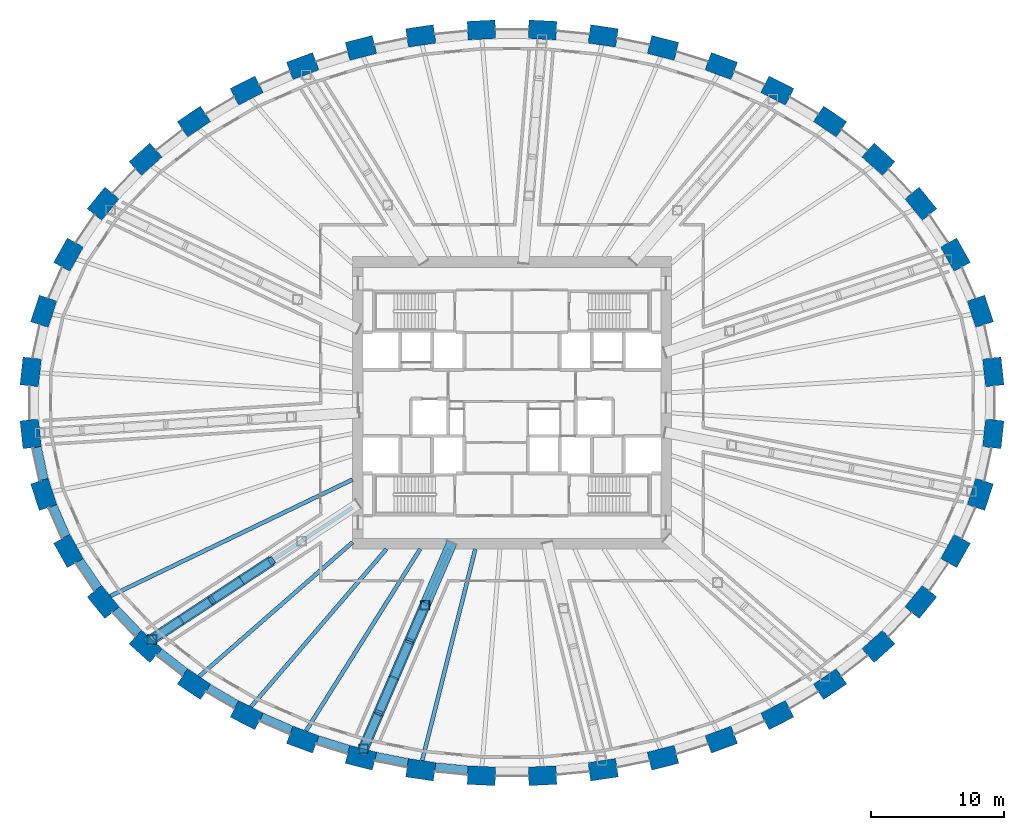
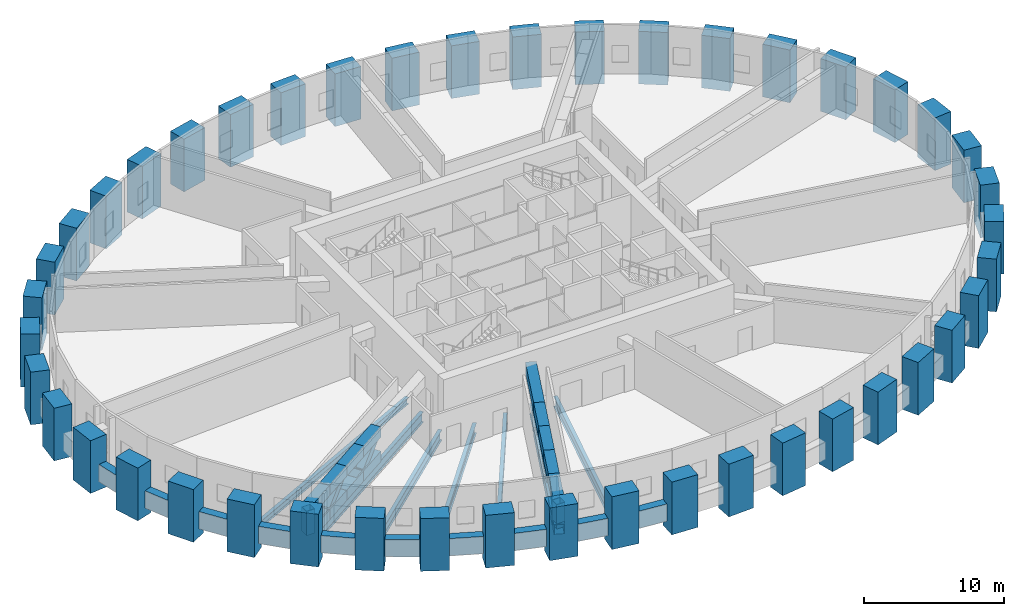
# One storey, part 1 of 13: 44 columns, 28 members, 17 beams.
"""IFC4 building model written with IfcOpenShell, lengths in metres."""

from ifc_helpers import new_model, si_unit, direction, frame, origin, origin_2d, place, context, subcontext, project, spatial, rectangle, hollow_rectangle, i_section, extrude, source, transform, mapped, material, material_profile, profile_set, type_object, element, save


model = new_model("IFC4")

# Units and contexts
model_context = context("Model", 3, precision=1e-05, world=origin(), true_north=direction((0.0, 1.0)))
body_context = subcontext(model_context, "Body", "Model", "MODEL_VIEW")
ifc_project = project(units=[si_unit("LENGTHUNIT", "METRE"), si_unit("AREAUNIT", "SQUARE_METRE"), si_unit("VOLUMEUNIT", "CUBIC_METRE"), si_unit("PLANEANGLEUNIT", "RADIAN"), si_unit("MASSUNIT", "GRAM", prefix="KILO")], contexts=[model_context])

# Site, building, storey
site_placement = place(None, origin())
site = spatial("IfcSite", under=ifc_project, at=site_placement, CompositionType="ELEMENT")
building_placement = place(site_placement, origin())
building = spatial("IfcBuilding", under=site, at=building_placement, Name="Embergate Tower", CompositionType="ELEMENT")
storey_placement = place(building_placement, frame((0.0, 0.0, 195.0)))
storey = spatial("IfcBuildingStorey", under=building, at=storey_placement, Name="L44", CompositionType="ELEMENT", Elevation=195.0)

# Columns
ifc_material_1 = material(Name="Concrete C60", Category="concrete")
ifc_material_profile_1 = material_profile(ifc_material_1, rectangle(XDim=1.39990234375, YDim=2.10009765625, at=origin_2d()), Name="RC 1400x2100")
ifc_profile_set_1 = profile_set([ifc_material_profile_1], Name="Concrete C60")
column_type = type_object("IfcColumnType", Name="Ring column RC 1400x2100 C60", PredefinedType="COLUMN", material=ifc_profile_set_1)
shared_shape_1 = source(origin(), body_context, "Body", "SweptSolid", [
    extrude(rectangle(XDim=1.39990234375, YDim=2.10009765625, at=origin_2d()), origin(), (0.0, 0.0, 1.0), 4.60009765625),
])
for number, where, z_axis, x_axis, name in (
    (1, (36.219970703125, 2.3310546875, -1.5), (0.0, 0.0, 1.0), (0.99428589498, 0.106749983816, 0.0), "COL-L44-00"),
    (2, (35.239990234375, 6.885986328125, -1.5), (0.0, 0.0, 1.0), (0.950754033697, 0.309946394413, 0.0), "COL-L44-01"),
    (3, (33.373046875, 11.14501953125, -1.5), (0.0, 0.0, 1.0), (0.873491969053, 0.486838556403, 0.0), "COL-L44-02"),
    (4, (30.764892578125, 14.97998046875, -1.5), (0.0, 0.0, 1.0), (0.775914301615, 0.630838328377, 0.0), "COL-L44-03"),
    (5, (27.572021484375, 18.327880859375, -1.5), (0.0, 0.0, 1.0), (0.669208424634, 0.74307475021, 0.0), "COL-L44-04"),
    (6, (23.93408203125, 21.16796875, -1.5), (0.0, 0.0, 1.0), (0.560393279442, 0.828226643109, 0.0), "COL-L44-05"),
    (7, (19.964111328125, 23.501953125, -1.5), (0.0, 0.0, 1.0), (0.452994952881, 0.891513080478, 0.0), "COL-L44-06"),
    (8, (15.7490234375, 25.344970703125, -1.5), (0.0, 0.0, 1.0), (0.348343015724, 0.93736713373, 0.0), "COL-L44-07"),
    (9, (11.363037109375, 26.7109375, -1.5), (0.0, 0.0, 1.0), (0.246491603437, 0.969144926951, 0.0), "COL-L44-08"),
    (10, (6.861083984375, 27.614013671875, -1.5), (0.0, 0.0, 1.0), (0.146929011949, 0.989147039346, 0.0), "COL-L44-09"),
    (11, (2.2939453125, 28.06298828125, -1.5), (0.0, 0.0, 1.0), (0.048814904854, 0.998807841912, 0.0), "COL-L44-10"),
    (12, (-2.2939453125, 28.06298828125, -1.5), (0.0, 0.0, 1.0), (-0.048814904854, 0.998807841912, 0.0), "COL-L44-11"),
    (13, (-6.861083984375, 27.614013671875, -1.5), (0.0, 0.0, 1.0), (-0.146929011949, 0.989147039346, 0.0), "COL-L44-12"),
    (14, (-11.363037109375, 26.7109375, -1.5), (0.0, 0.0, 1.0), (-0.246491603437, 0.969144926951, 0.0), "COL-L44-13"),
    (15, (-15.7490234375, 25.344970703125, -1.5), (0.0, 0.0, 1.0), (-0.348343015724, 0.93736713373, 0.0), "COL-L44-14"),
    (16, (-19.964111328125, 23.501953125, -1.5), (0.0, 0.0, 1.0), (-0.452994952881, 0.891513080478, 0.0), "COL-L44-15"),
    (17, (-23.93408203125, 21.16796875, -1.5), (0.0, 0.0, 1.0), (-0.560393279442, 0.828226643109, 0.0), "COL-L44-16"),
    (18, (-27.572021484375, 18.327880859375, -1.5), (0.0, 0.0, 1.0), (-0.669208424634, 0.74307475021, 0.0), "COL-L44-17"),
    (19, (-30.764892578125, 14.97998046875, -1.5), (0.0, 0.0, 1.0), (-0.775914301615, 0.630838328377, 0.0), "COL-L44-18"),
    (20, (-33.373046875, 11.14501953125, -1.5), (0.0, 0.0, 1.0), (-0.873491969053, 0.486838556403, 0.0), "COL-L44-19"),
    (21, (-35.239990234375, 6.885986328125, -1.5), (0.0, 0.0, 1.0), (-0.950754033697, 0.309946394413, 0.0), "COL-L44-20"),
    (22, (-36.219970703125, 2.3310546875, -1.5), (0.0, 0.0, 1.0), (-0.99428589498, 0.106749983816, 0.0), "COL-L44-21"),
    (23, (-36.219970703125, -2.3310546875, -1.5), (0.0, 0.0, 1.0), (-0.99428589498, -0.106749983816, 0.0), "COL-L44-22"),
    (24, (-35.239990234375, -6.885986328125, -1.5), (0.0, 0.0, 1.0), (-0.950754033697, -0.309946394413, 0.0), "COL-L44-23"),
    (25, (-33.373046875, -11.14501953125, -1.5), (0.0, 0.0, 1.0), (-0.873491969053, -0.486838556403, 0.0), "COL-L44-24"),
    (26, (-30.764892578125, -14.97998046875, -1.5), (0.0, 0.0, 1.0), (-0.775914301615, -0.630838328377, 0.0), "COL-L44-25"),
    (27, (-27.572021484375, -18.327880859375, -1.5), (0.0, 0.0, 1.0), (-0.669208424634, -0.74307475021, 0.0), "COL-L44-26"),
    (28, (-23.93408203125, -21.16796875, -1.5), (0.0, 0.0, 1.0), (-0.560393279442, -0.828226643109, 0.0), "COL-L44-27"),
    (29, (-19.964111328125, -23.501953125, -1.5), (0.0, 0.0, 1.0), (-0.452994952881, -0.891513080478, 0.0), "COL-L44-28"),
    (30, (-15.7490234375, -25.344970703125, -1.5), (0.0, 0.0, 1.0), (-0.348343015724, -0.93736713373, 0.0), "COL-L44-29"),
    (31, (-11.363037109375, -26.7109375, -1.5), (0.0, 0.0, 1.0), (-0.246491603437, -0.969144926951, 0.0), "COL-L44-30"),
    (32, (-6.861083984375, -27.614013671875, -1.5), (0.0, 0.0, 1.0), (-0.146929011949, -0.989147039346, 0.0), "COL-L44-31"),
    (33, (-2.2939453125, -28.06298828125, -1.5), (0.0, 0.0, 1.0), (-0.048814904854, -0.998807841912, 0.0), "COL-L44-32"),
    (34, (2.2939453125, -28.06298828125, -1.5), (0.0, 0.0, 1.0), (0.048814904854, -0.998807841912, 0.0), "COL-L44-33"),
    (35, (6.861083984375, -27.614013671875, -1.5), (0.0, 0.0, 1.0), (0.146929011949, -0.989147039346, 0.0), "COL-L44-34"),
    (36, (11.363037109375, -26.7109375, -1.5), (0.0, 0.0, 1.0), (0.246491603437, -0.969144926951, 0.0), "COL-L44-35"),
    (37, (15.7490234375, -25.344970703125, -1.5), (0.0, 0.0, 1.0), (0.348343015724, -0.93736713373, 0.0), "COL-L44-36"),
    (38, (19.964111328125, -23.501953125, -1.5), (0.0, 0.0, 1.0), (0.452994952881, -0.891513080478, 0.0), "COL-L44-37"),
    (39, (23.93408203125, -21.16796875, -1.5), (0.0, 0.0, 1.0), (0.560393279442, -0.828226643109, 0.0), "COL-L44-38"),
    (40, (27.572021484375, -18.327880859375, -1.5), (0.0, 0.0, 1.0), (0.669208424634, -0.74307475021, 0.0), "COL-L44-39"),
    (41, (30.764892578125, -14.97998046875, -1.5), (0.0, 0.0, 1.0), (0.775914301615, -0.630838328377, 0.0), "COL-L44-40"),
    (42, (33.373046875, -11.14501953125, -1.5), (0.0, 0.0, 1.0), (0.873491969053, -0.486838556403, 0.0), "COL-L44-41"),
    (43, (35.239990234375, -6.885986328125, -1.5), (0.0, 0.0, 1.0), (0.950754033697, -0.309946394413, 0.0), "COL-L44-42"),
    (44, (36.219970703125, -2.3310546875, -1.5), (0.0, 0.0, 1.0), (0.99428589498, -0.106749983816, 0.0), "COL-L44-43"),
):
    element("IfcColumn", number, at=place(storey_placement, frame(where, z_axis=z_axis, x_axis=x_axis)), inside=storey, type_object=column_type, Name=name, PredefinedType="COLUMN", context=body_context, shape_type="MappedRepresentation", body=[
        mapped(shared_shape_1, transform((0.0, 0.0, 0.0))),
    ])

# Beams
ifc_material_profile_2 = material_profile(ifc_material_1, rectangle(XDim=0.64990234375, YDim=1.5, at=origin_2d()), Name="RC 650x1500")
ifc_profile_set_2 = profile_set([ifc_material_profile_2], Name="Concrete C60")
beam_type_1 = type_object("IfcBeamType", Name="Spandrel beam RC 650x1500 C60", PredefinedType="BEAM", material=ifc_profile_set_2)
shared_shape_2 = source(origin(), body_context, "Body", "SweptSolid", [
    extrude(rectangle(XDim=0.64990234375, YDim=1.5, at=origin_2d()), origin(), (0.0, 0.0, 1.0), 2.495849609375),
])
beam_1_placement = place(storey_placement, frame((-35.7470703125, -3.3359375, 0.0), z_axis=(0.210410815017, -0.97761305685, 0.0), x_axis=(0.97761305685, 0.210410815017, 0.0)))
element("IfcBeam", 45, at=beam_1_placement, inside=storey, type_object=beam_type_1, Name="SPN-L44-22", PredefinedType="BEAM", context=body_context, shape_type="MappedRepresentation", body=[
    mapped(shared_shape_2, transform((0.0, 0.0, 0.0))),
])
shared_shape_3 = source(origin(), body_context, "Body", "SweptSolid", [
    extrude(rectangle(XDim=0.64990234375, YDim=1.5, at=origin_2d()), origin(), (0.0, 0.0, 1.0), 2.4873046875),
])
beam_2_placement = place(storey_placement, frame((-34.556884765625, -7.76806640625, 0.0), z_axis=(0.401570504265, -0.915828111659, 0.0), x_axis=(0.915828111659, 0.401570504265, 0.0)))
element("IfcBeam", 46, at=beam_2_placement, inside=storey, type_object=beam_type_1, Name="SPN-L44-23", PredefinedType="BEAM", context=body_context, shape_type="MappedRepresentation", body=[
    mapped(shared_shape_3, transform((0.0, 0.0, 0.0))),
])
shared_shape_4 = source(origin(), body_context, "Body", "SweptSolid", [
    extrude(rectangle(XDim=0.64990234375, YDim=1.5, at=origin_2d()), origin(), (0.0, 0.0, 1.0), 2.48193359375),
])
beam_3_placement = place(storey_placement, frame((-32.541015625, -11.884033203125, 0.0), z_axis=(0.562484902419, -0.826807555935, 0.0), x_axis=(0.826807555935, 0.562484902419, 0.0)))
element("IfcBeam", 47, at=beam_3_placement, inside=storey, type_object=beam_type_1, Name="SPN-L44-24", PredefinedType="BEAM", context=body_context, shape_type="MappedRepresentation", body=[
    mapped(shared_shape_4, transform((0.0, 0.0, 0.0))),
])
shared_shape_5 = source(origin(), body_context, "Body", "SweptSolid", [
    extrude(rectangle(XDim=0.64990234375, YDim=1.5, at=origin_2d()), origin(), (0.0, 0.0, 1.0), 2.474853515625),
])
beam_4_placement = place(storey_placement, frame((-29.81005859375, -15.556884765625, 0.0), z_axis=(0.690137817058, -0.723677962541, 0.0), x_axis=(0.723677962541, 0.690137817058, 0.0)))
element("IfcBeam", 48, at=beam_4_placement, inside=storey, type_object=beam_type_1, Name="SPN-L44-25", PredefinedType="BEAM", context=body_context, shape_type="MappedRepresentation", body=[
    mapped(shared_shape_5, transform((0.0, 0.0, 0.0))),
])
shared_shape_6 = source(origin(), body_context, "Body", "SweptSolid", [
    extrude(rectangle(XDim=0.64990234375, YDim=1.5, at=origin_2d()), origin(), (0.0, 0.0, 1.0), 2.469970703125),
])
beam_5_placement = place(storey_placement, frame((-26.5458984375, -18.757080078125, 0.0), z_axis=(0.788201173766, -0.615417670914, 0.0), x_axis=(0.615417670914, 0.788201173766, 0.0)))
element("IfcBeam", 49, at=beam_5_placement, inside=storey, type_object=beam_type_1, Name="SPN-L44-26", PredefinedType="BEAM", context=body_context, shape_type="MappedRepresentation", body=[
    mapped(shared_shape_6, transform((0.0, 0.0, 0.0))),
])
shared_shape_7 = source(origin(), body_context, "Body", "SweptSolid", [
    extrude(rectangle(XDim=0.64990234375, YDim=1.5, at=origin_2d()), origin(), (0.0, 0.0, 1.0), 2.464111328125),
])
beam_6_placement = place(storey_placement, frame((-22.862060546875, -21.4580078125, 0.0), z_axis=(0.862005524643, -0.506898880928, 0.0), x_axis=(0.506898880928, 0.862005524643, 0.0)))
element("IfcBeam", 50, at=beam_6_placement, inside=storey, type_object=beam_type_1, Name="SPN-L44-27", PredefinedType="BEAM", context=body_context, shape_type="MappedRepresentation", body=[
    mapped(shared_shape_7, transform((0.0, 0.0, 0.0))),
])
shared_shape_8 = source(origin(), body_context, "Body", "SweptSolid", [
    extrude(rectangle(XDim=0.64990234375, YDim=1.5, at=origin_2d()), origin(), (0.0, 0.0, 1.0), 2.4609375),
])
beam_7_placement = place(storey_placement, frame((-18.85791015625, -23.64306640625, 0.0), z_axis=(0.916257487085, -0.400589836818, 0.0), x_axis=(0.400589836818, 0.916257487085, 0.0)))
element("IfcBeam", 51, at=beam_7_placement, inside=storey, type_object=beam_type_1, Name="SPN-L44-28", PredefinedType="BEAM", context=body_context, shape_type="MappedRepresentation", body=[
    mapped(shared_shape_8, transform((0.0, 0.0, 0.0))),
])
shared_shape_9 = source(origin(), body_context, "Body", "SweptSolid", [
    extrude(rectangle(XDim=0.64990234375, YDim=1.5, at=origin_2d()), origin(), (0.0, 0.0, 1.0), 2.4580078125),
])
beam_8_placement = place(storey_placement, frame((-14.635986328125, -25.363037109375, 0.0), z_axis=(0.954764072866, -0.297364364315, 0.0), x_axis=(0.297364364315, 0.954764072866, 0.0)))
element("IfcBeam", 52, at=beam_8_placement, inside=storey, type_object=beam_type_1, Name="SPN-L44-29", PredefinedType="BEAM", context=body_context, shape_type="MappedRepresentation", body=[
    mapped(shared_shape_9, transform((0.0, 0.0, 0.0))),
])
shared_shape_10 = source(origin(), body_context, "Body", "SweptSolid", [
    extrude(rectangle(XDim=0.64990234375, YDim=1.5, at=origin_2d()), origin(), (0.0, 0.0, 1.0), 2.456787109375),
])
beam_9_placement = place(storey_placement, frame((-10.2548828125, -26.613037109375, 0.0), z_axis=(0.98049267216, -0.196555640573, 0.0), x_axis=(0.196555640573, 0.98049267216, 0.0)))
element("IfcBeam", 53, at=beam_9_placement, inside=storey, type_object=beam_type_1, Name="SPN-L44-30", PredefinedType="BEAM", context=body_context, shape_type="MappedRepresentation", body=[
    mapped(shared_shape_10, transform((0.0, 0.0, 0.0))),
])
shared_shape_11 = source(origin(), body_context, "Body", "SweptSolid", [
    extrude(rectangle(XDim=0.64990234375, YDim=1.5, at=origin_2d()), origin(), (0.0, 0.0, 1.0), 2.455810546875),
])
beam_10_placement = place(storey_placement, frame((-5.76904296875, -27.406005859375, 0.0), z_axis=(0.995213749565, -0.097722017363, 0.0), x_axis=(0.097722017363, 0.995213749565, 0.0)))
element("IfcBeam", 54, at=beam_10_placement, inside=storey, type_object=beam_type_1, Name="SPN-L44-31", PredefinedType="BEAM", context=body_context, shape_type="MappedRepresentation", body=[
    mapped(shared_shape_11, transform((0.0, 0.0, 0.0))),
])
ifc_material_2 = material(Name="Steel Q355B", Category="steel")
ifc_material_profile_3 = material_profile(ifc_material_2, i_section(OverallWidth=0.300048828125, OverallDepth=0.587890625, WebThickness=0.011962890625, FlangeThickness=0.02001953125, FilletRadius=0.012939453125, at=origin_2d()), Name="HM 588x300x12x20")
ifc_profile_set_3 = profile_set([ifc_material_profile_3], Name="Steel Q355 grade B")
beam_type_2 = type_object("IfcBeamType", Name="Plant girder HM 588x300x12x20", PredefinedType="BEAM", material=ifc_profile_set_3)
shared_shape_12 = source(origin(), body_context, "Body", "SweptSolid", [
    extrude(i_section(OverallWidth=0.300048828125, OverallDepth=0.587890625, WebThickness=0.011962890625, FlangeThickness=0.02001953125, FilletRadius=0.012939453125, at=origin_2d()), origin(), (0.0, 0.0, 1.0), 20.220458984375),
])
beam_11_placement = place(storey_placement, frame((-30.221923828125, -14.5380859375, -0.593994140625), z_axis=(0.901163637212, 0.433479064046, 0.0), x_axis=(-0.433479064046, 0.901163637212, 0.0)))
element("IfcBeam", 55, at=beam_11_placement, inside=storey, type_object=beam_type_2, Name="GIR-L44-25", PredefinedType="BEAM", context=body_context, shape_type="MappedRepresentation", body=[
    mapped(shared_shape_12, transform((0.0, 0.0, 0.0))),
])
ifc_material_profile_4 = material_profile(ifc_material_2, i_section(OverallWidth=0.300048828125, OverallDepth=0.89990234375, WebThickness=0.01611328125, FlangeThickness=0.028076171875, FilletRadius=0.028076171875, at=origin_2d()), Name="HN 900x300x16x28")
ifc_profile_set_4 = profile_set([ifc_material_profile_4], Name="Steel Q355 grade B")
beam_type_3 = type_object("IfcBeamType", Name="Plant girder HN 900x300x16x28", PredefinedType="BEAM", material=ifc_profile_set_4)
shared_shape_13 = source(origin(), body_context, "Body", "SweptSolid", [
    extrude(i_section(OverallWidth=0.300048828125, OverallDepth=0.89990234375, WebThickness=0.01611328125, FlangeThickness=0.028076171875, FilletRadius=0.028076171875, at=origin_2d()), origin(), (0.0, 0.0, 1.0), 18.072509765625),
])
beam_12_placement = place(storey_placement, frame((-27.10400390625, -17.80810546875, -0.75), z_axis=(0.835741437454, 0.549123164437, 0.0), x_axis=(-0.549123164437, 0.835741437454, 0.0)))
element("IfcBeam", 56, at=beam_12_placement, inside=storey, type_object=beam_type_3, Name="GIR-L44-26", PredefinedType="BEAM", context=body_context, shape_type="MappedRepresentation", body=[
    mapped(shared_shape_13, transform((0.0, 0.0, 0.0))),
])
shared_shape_14 = source(origin(), body_context, "Body", "SweptSolid", [
    extrude(i_section(OverallWidth=0.300048828125, OverallDepth=0.89990234375, WebThickness=0.01611328125, FlangeThickness=0.028076171875, FilletRadius=0.028076171875, at=origin_2d()), origin(), (0.0, 0.0, 1.0), 15.332275390625),
])
beam_13_placement = place(storey_placement, frame((-23.5419921875, -20.587890625, -0.75), z_axis=(0.752785772217, 0.658265585571, 0.0), x_axis=(-0.658265585571, 0.752785772217, 0.0)))
element("IfcBeam", 57, at=beam_13_placement, inside=storey, type_object=beam_type_3, Name="GIR-L44-27", PredefinedType="BEAM", context=body_context, shape_type="MappedRepresentation", body=[
    mapped(shared_shape_14, transform((0.0, 0.0, 0.0))),
])
shared_shape_15 = source(origin(), body_context, "Body", "SweptSolid", [
    extrude(i_section(OverallWidth=0.300048828125, OverallDepth=0.89990234375, WebThickness=0.01611328125, FlangeThickness=0.028076171875, FilletRadius=0.028076171875, at=origin_2d()), origin(), (0.0, 0.0, 1.0), 15.656982421875),
])
beam_14_placement = place(storey_placement, frame((-19.64697265625, -22.8779296875, -0.75), z_axis=(0.65152174109, 0.758629963083, 0.0), x_axis=(-0.758629963083, 0.65152174109, 0.0)))
element("IfcBeam", 58, at=beam_14_placement, inside=storey, type_object=beam_type_3, Name="GIR-L44-28", PredefinedType="BEAM", context=body_context, shape_type="MappedRepresentation", body=[
    mapped(shared_shape_15, transform((0.0, 0.0, 0.0))),
])
shared_shape_16 = source(origin(), body_context, "Body", "SweptSolid", [
    extrude(i_section(OverallWidth=0.300048828125, OverallDepth=0.89990234375, WebThickness=0.01611328125, FlangeThickness=0.028076171875, FilletRadius=0.028076171875, at=origin_2d()), origin(), (0.0, 0.0, 1.0), 16.16455078125),
])
beam_15_placement = place(storey_placement, frame((-15.5048828125, -24.68896484375, -0.75), z_axis=(0.531835896926, 0.84684743534, 0.0), x_axis=(-0.84684743534, 0.531835896926, 0.0)))
element("IfcBeam", 59, at=beam_15_placement, inside=storey, type_object=beam_type_3, Name="GIR-L44-29", PredefinedType="BEAM", context=body_context, shape_type="MappedRepresentation", body=[
    mapped(shared_shape_16, transform((0.0, 0.0, 0.0))),
])
shared_shape_17 = source(origin(), body_context, "Body", "SweptSolid", [
    extrude(i_section(OverallWidth=0.300048828125, OverallDepth=0.89990234375, WebThickness=0.01611328125, FlangeThickness=0.028076171875, FilletRadius=0.028076171875, at=origin_2d()), origin(), (0.0, 0.0, 1.0), 16.363037109375),
])
beam_16_placement = place(storey_placement, frame((-11.18994140625, -26.032958984375, -0.75), z_axis=(0.394911270951, 0.918719265105, 0.0), x_axis=(-0.918719265105, 0.394911270951, 0.0)))
element("IfcBeam", 60, at=beam_16_placement, inside=storey, type_object=beam_type_3, Name="GIR-L44-30", PredefinedType="BEAM", context=body_context, shape_type="MappedRepresentation", body=[
    mapped(shared_shape_17, transform((0.0, 0.0, 0.0))),
])
shared_shape_18 = source(origin(), body_context, "Body", "SweptSolid", [
    extrude(i_section(OverallWidth=0.300048828125, OverallDepth=0.89990234375, WebThickness=0.01611328125, FlangeThickness=0.028076171875, FilletRadius=0.028076171875, at=origin_2d()), origin(), (0.0, 0.0, 1.0), 16.416259765625),
])
beam_17_placement = place(storey_placement, frame((-6.758056640625, -26.922119140625, -0.75), z_axis=(0.243483815658, 0.969904960041, 0.0), x_axis=(-0.969904960041, 0.243483815658, 0.0)))
element("IfcBeam", 61, at=beam_17_placement, inside=storey, type_object=beam_type_3, Name="GIR-L44-31", PredefinedType="BEAM", context=body_context, shape_type="MappedRepresentation", body=[
    mapped(shared_shape_18, transform((0.0, 0.0, 0.0))),
])

# Members
ifc_material_profile_5 = material_profile(ifc_material_2, hollow_rectangle(XDim=0.699951171875, YDim=0.699951171875, WallThickness=0.031982421875, at=origin_2d()), Name="BOX 700x700x32")
ifc_profile_set_5 = profile_set([ifc_material_profile_5], Name="Steel Q355 grade B")
member_type_1 = type_object("IfcMemberType", Name="Outrigger post BOX 700x700x32", PredefinedType="POST", material=ifc_profile_set_5)
shared_shape_19 = source(origin(), body_context, "Body", "SweptSolid", [
    extrude(hollow_rectangle(XDim=0.699951171875, YDim=0.699951171875, WallThickness=0.031982421875, at=origin_2d()), origin(), (0.0, 0.0, 1.0), 2.1201171875),
])
for number, where, z_axis, x_axis, name in (
    (62, (-27.10400390625, -17.80810546875, 0.449951171875), (0.0, 0.0, 1.0), (1.0, 0.0, 0.0), "OUT-L44-26-PO05"),
    (63, (-6.544921875, -15.22607421875, 0.449951171875), (0.0, 0.0, 1.0), (1.0, 0.0, 0.0), "OUT-L44-30-PO00"),
    (64, (-11.18994140625, -26.032958984375, 0.449951171875), (0.0, 0.0, 1.0), (1.0, 0.0, 0.0), "OUT-L44-30-PO04"),
):
    element("IfcMember", number, at=place(storey_placement, frame(where, z_axis=z_axis, x_axis=x_axis)), inside=storey, type_object=member_type_1, Name=name, PredefinedType="POST", context=body_context, shape_type="MappedRepresentation", body=[
        mapped(shared_shape_19, transform((0.0, 0.0, 0.0))),
    ])
ifc_material_profile_6 = material_profile(ifc_material_2, hollow_rectangle(XDim=0.800048828125, YDim=0.89990234375, WallThickness=0.0400390625, at=origin_2d()), Name="BOX 900x800x40")
ifc_profile_set_6 = profile_set([ifc_material_profile_6], Name="Steel Q355 grade B")
member_type_2 = type_object("IfcMemberType", Name="Outrigger chord BOX 900x800x40", PredefinedType="CHORD", material=ifc_profile_set_6)
shared_shape_20 = source(origin(), body_context, "Body", "SweptSolid", [
    extrude(hollow_rectangle(XDim=0.800048828125, YDim=0.89990234375, WallThickness=0.0400390625, at=origin_2d()), origin(), (0.0, 0.0, 1.0), 2.794677734375),
])
for number, where, z_axis, x_axis, name in (
    (65, (-18.095947265625, -11.889892578125, 2.570068359375), (-0.835847496701, -0.548961712926, 0.0), (0.548961712926, -0.835847496701, 0.0), "OUT-L44-26-TC02"),
    (66, (-22.60009765625, -14.84912109375, 2.570068359375), (-0.835887580758, -0.548900676202, 0.0), (0.548900676202, -0.835887580758, 0.0), "OUT-L44-26-TC04"),
    (67, (-18.095947265625, -11.889892578125, 0.449951171875), (-0.835847496701, -0.548961712926, 0.0), (0.548961712926, -0.835847496701, 0.0), "OUT-L44-26-BC01"),
    (68, (-22.60009765625, -14.84912109375, 0.449951171875), (-0.835887580758, -0.548900676202, 0.0), (0.548900676202, -0.835887580758, 0.0), "OUT-L44-26-BC03"),
):
    element("IfcMember", number, at=place(storey_placement, frame(where, z_axis=z_axis, x_axis=x_axis)), inside=storey, type_object=member_type_2, Name=name, PredefinedType="CHORD", context=body_context, shape_type="MappedRepresentation", body=[
        mapped(shared_shape_20, transform((0.0, 0.0, 0.0))),
    ])
shared_shape_21 = source(origin(), body_context, "Body", "SweptSolid", [
    extrude(hollow_rectangle(XDim=0.800048828125, YDim=0.89990234375, WallThickness=0.0400390625, at=origin_2d()), origin(), (0.0, 0.0, 1.0), 2.79541015625),
])
for number, where, z_axis, x_axis, name in (
    (69, (-20.347900390625, -13.368896484375, 2.570068359375), (-0.835713496156, -0.549165687515, 0.0), (0.549165687515, -0.835713496156, 0.0), "OUT-L44-26-TC03"),
    (70, (-20.347900390625, -13.368896484375, 0.449951171875), (-0.835713496156, -0.549165687515, 0.0), (0.549165687515, -0.835713496156, 0.0), "OUT-L44-26-BC02"),
):
    element("IfcMember", number, at=place(storey_placement, frame(where, z_axis=z_axis, x_axis=x_axis)), inside=storey, type_object=member_type_2, Name=name, PredefinedType="CHORD", context=body_context, shape_type="MappedRepresentation", body=[
        mapped(shared_shape_21, transform((0.0, 0.0, 0.0))),
    ])
shared_shape_22 = source(origin(), body_context, "Body", "SweptSolid", [
    extrude(hollow_rectangle(XDim=0.800048828125, YDim=0.89990234375, WallThickness=0.0400390625, at=origin_2d()), origin(), (0.0, 0.0, 1.0), 3.195068359375),
])
for number, where, z_axis, x_axis, name in (
    (71, (-24.85205078125, -16.327880859375, 2.570068359375), (-0.835618299195, -0.54931052971, 0.0), (0.54931052971, -0.835618299195, 0.0), "OUT-L44-26-TC05"),
    (72, (-24.85205078125, -16.327880859375, 0.449951171875), (-0.835618299195, -0.54931052971, 0.0), (0.54931052971, -0.835618299195, 0.0), "OUT-L44-26-BC04"),
):
    element("IfcMember", number, at=place(storey_placement, frame(where, z_axis=z_axis, x_axis=x_axis)), inside=storey, type_object=member_type_2, Name=name, PredefinedType="CHORD", context=body_context, shape_type="MappedRepresentation", body=[
        mapped(shared_shape_22, transform((0.0, 0.0, 0.0))),
    ])
ifc_material_profile_7 = material_profile(ifc_material_2, hollow_rectangle(XDim=0.60009765625, YDim=0.60009765625, WallThickness=0.028076171875, at=origin_2d()), Name="BOX 600x600x28")
ifc_profile_set_7 = profile_set([ifc_material_profile_7], Name="Steel Q355 grade B")
member_type_3 = type_object("IfcMemberType", Name="Outrigger diagonal BOX 600x600x28", PredefinedType="BRACE", material=ifc_profile_set_7)
shared_shape_23 = source(origin(), body_context, "Body", "SweptSolid", [
    extrude(hollow_rectangle(XDim=0.60009765625, YDim=0.60009765625, WallThickness=0.028076171875, at=origin_2d()), origin(), (0.0, 0.0, 1.0), 3.428466796875),
])
member_1_placement = place(storey_placement, frame((-18.095947265625, -11.889892578125, 2.570068359375), z_axis=(-0.656860446396, -0.431402925441, -0.618405910289), x_axis=(0.548957266488, -0.835850416983, 0.0)))
element("IfcMember", 73, at=member_1_placement, inside=storey, type_object=member_type_3, Name="OUT-L44-26-DG01", PredefinedType="BRACE", context=body_context, shape_type="MappedRepresentation", body=[
    mapped(shared_shape_23, transform((0.0, 0.0, 0.0))),
])
shared_shape_24 = source(origin(), body_context, "Body", "SweptSolid", [
    extrude(hollow_rectangle(XDim=0.60009765625, YDim=0.60009765625, WallThickness=0.028076171875, at=origin_2d()), origin(), (0.0, 0.0, 1.0), 3.428955078125),
])
for number, where, z_axis, x_axis, name in (
    (74, (-20.347900390625, -13.368896484375, 0.449951171875), (-0.656800017515, -0.431672466796, 0.618281989388), (0.549232114064, -0.835669842032, 0.0), "OUT-L44-26-DG02"),
    (75, (-24.85205078125, -16.327880859375, 0.449951171875), (-0.656759530609, -0.431692653305, 0.618310902408), (0.549273694092, -0.835642512668, 0.0), "OUT-L44-26-DG04"),
):
    element("IfcMember", number, at=place(storey_placement, frame(where, z_axis=z_axis, x_axis=x_axis)), inside=storey, type_object=member_type_3, Name=name, PredefinedType="BRACE", context=body_context, shape_type="MappedRepresentation", body=[
        mapped(shared_shape_24, transform((0.0, 0.0, 0.0))),
    ])
shared_shape_25 = source(origin(), body_context, "Body", "SweptSolid", [
    extrude(hollow_rectangle(XDim=0.60009765625, YDim=0.60009765625, WallThickness=0.028076171875, at=origin_2d()), origin(), (0.0, 0.0, 1.0), 3.42822265625),
])
member_2_placement = place(storey_placement, frame((-22.60009765625, -14.84912109375, 2.570068359375), z_axis=(-0.656880625143, -0.431344963843, -0.618424907712), x_axis=(0.548893952626, -0.835891995877, 0.0)))
element("IfcMember", 76, at=member_2_placement, inside=storey, type_object=member_type_3, Name="OUT-L44-26-DG03", PredefinedType="BRACE", context=body_context, shape_type="MappedRepresentation", body=[
    mapped(shared_shape_25, transform((0.0, 0.0, 0.0))),
])
shared_shape_26 = source(origin(), body_context, "Body", "SweptSolid", [
    extrude(hollow_rectangle(XDim=0.800048828125, YDim=0.89990234375, WallThickness=0.0400390625, at=origin_2d()), origin(), (0.0, 0.0, 1.0), 5.199462890625),
])
member_3_placement = place(storey_placement, frame((-4.531005859375, -10.541015625, 2.570068359375), z_axis=(-0.394837135959, -0.918751128471, 0.0), x_axis=(0.918751128471, -0.394837135959, 0.0)))
element("IfcMember", 77, at=member_3_placement, inside=storey, type_object=member_type_2, Name="OUT-L44-30-TC00", PredefinedType="CHORD", context=body_context, shape_type="MappedRepresentation", body=[
    mapped(shared_shape_26, transform((0.0, 0.0, 0.0))),
])
shared_shape_27 = source(origin(), body_context, "Body", "SweptSolid", [
    extrude(hollow_rectangle(XDim=0.800048828125, YDim=0.89990234375, WallThickness=0.0400390625, at=origin_2d()), origin(), (0.0, 0.0, 1.0), 3.040771484375),
])
for number, where, z_axis, x_axis, name in (
    (78, (-6.544921875, -15.22607421875, 2.570068359375), (-0.394694350102, -0.918812478146, 0.0), (0.918812478146, -0.394694350102, 0.0), "OUT-L44-30-TC01"),
    (79, (-6.544921875, -15.22607421875, 0.449951171875), (-0.394694350102, -0.918812478146, 0.0), (0.918812478146, -0.394694350102, 0.0), "OUT-L44-30-BC00"),
):
    element("IfcMember", number, at=place(storey_placement, frame(where, z_axis=z_axis, x_axis=x_axis)), inside=storey, type_object=member_type_2, Name=name, PredefinedType="CHORD", context=body_context, shape_type="MappedRepresentation", body=[
        mapped(shared_shape_27, transform((0.0, 0.0, 0.0))),
    ])
shared_shape_28 = source(origin(), body_context, "Body", "SweptSolid", [
    extrude(hollow_rectangle(XDim=0.800048828125, YDim=0.89990234375, WallThickness=0.0400390625, at=origin_2d()), origin(), (0.0, 0.0, 1.0), 3.040283203125),
])
for number, where, z_axis, x_axis, name in (
    (80, (-7.7060546875, -17.927978515625, 2.570068359375), (-0.395014196095, -0.918675015924, 0.0), (0.918675015924, -0.395014196095, 0.0), "OUT-L44-30-TC02"),
    (81, (-7.7060546875, -17.927978515625, 0.449951171875), (-0.395014196095, -0.918675015924, 0.0), (0.918675015924, -0.395014196095, 0.0), "OUT-L44-30-BC01"),
):
    element("IfcMember", number, at=place(storey_placement, frame(where, z_axis=z_axis, x_axis=x_axis)), inside=storey, type_object=member_type_2, Name=name, PredefinedType="CHORD", context=body_context, shape_type="MappedRepresentation", body=[
        mapped(shared_shape_28, transform((0.0, 0.0, 0.0))),
    ])
shared_shape_29 = source(origin(), body_context, "Body", "SweptSolid", [
    extrude(hollow_rectangle(XDim=0.800048828125, YDim=0.89990234375, WallThickness=0.0400390625, at=origin_2d()), origin(), (0.0, 0.0, 1.0), 3.04052734375),
])
for number, where, z_axis, x_axis, name in (
    (82, (-8.866943359375, -20.6298828125, 2.570068359375), (-0.395052823731, -0.918658405754, 0.0), (0.918658405754, -0.395052823731, 0.0), "OUT-L44-30-TC03"),
    (83, (-8.866943359375, -20.6298828125, 0.449951171875), (-0.395052823731, -0.918658405754, 0.0), (0.918658405754, -0.395052823731, 0.0), "OUT-L44-30-BC02"),
):
    element("IfcMember", number, at=place(storey_placement, frame(where, z_axis=z_axis, x_axis=x_axis)), inside=storey, type_object=member_type_2, Name=name, PredefinedType="CHORD", context=body_context, shape_type="MappedRepresentation", body=[
        mapped(shared_shape_29, transform((0.0, 0.0, 0.0))),
    ])
shared_shape_30 = source(origin(), body_context, "Body", "SweptSolid", [
    extrude(hollow_rectangle(XDim=0.800048828125, YDim=0.89990234375, WallThickness=0.0400390625, at=origin_2d()), origin(), (0.0, 0.0, 1.0), 3.440185546875),
])
for number, where, z_axis, x_axis, name in (
    (84, (-10.029052734375, -23.3310546875, 2.570068359375), (-0.394715688477, -0.918803311526, 0.0), (0.918803311526, -0.394715688477, 0.0), "OUT-L44-30-TC04"),
    (85, (-10.029052734375, -23.3310546875, 0.449951171875), (-0.394715688477, -0.918803311526, 0.0), (0.918803311526, -0.394715688477, 0.0), "OUT-L44-30-BC03"),
):
    element("IfcMember", number, at=place(storey_placement, frame(where, z_axis=z_axis, x_axis=x_axis)), inside=storey, type_object=member_type_2, Name=name, PredefinedType="CHORD", context=body_context, shape_type="MappedRepresentation", body=[
        mapped(shared_shape_30, transform((0.0, 0.0, 0.0))),
    ])
shared_shape_31 = source(origin(), body_context, "Body", "SweptSolid", [
    extrude(hollow_rectangle(XDim=0.60009765625, YDim=0.60009765625, WallThickness=0.028076171875, at=origin_2d()), origin(), (0.0, 0.0, 1.0), 3.62548828125),
])
member_4_placement = place(storey_placement, frame((-6.544921875, -15.22607421875, 0.449951171875), z_axis=(-0.320278524079, -0.74527384903, 0.584797877019), x_axis=(0.918753823377, -0.394830865093, 0.0)))
element("IfcMember", 86, at=member_4_placement, inside=storey, type_object=member_type_3, Name="OUT-L44-30-DG00", PredefinedType="BRACE", context=body_context, shape_type="MappedRepresentation", body=[
    mapped(shared_shape_31, transform((0.0, 0.0, 0.0))),
])
shared_shape_32 = source(origin(), body_context, "Body", "SweptSolid", [
    extrude(hollow_rectangle(XDim=0.60009765625, YDim=0.60009765625, WallThickness=0.028076171875, at=origin_2d()), origin(), (0.0, 0.0, 1.0), 3.625244140625),
])
for number, where, z_axis, x_axis, name in (
    (87, (-7.7060546875, -17.927978515625, 2.570068359375), (-0.320218087959, -0.745289922071, -0.584810489136), (0.918783936458, -0.394760785927, 0.0), "OUT-L44-30-DG01"),
    (88, (-8.866943359375, -20.6298828125, 0.449951171875), (-0.320568484503, -0.745119687509, 0.584835445258), (0.91859444887, -0.395201516325, 0.0), "OUT-L44-30-DG02"),
    (89, (-10.029052734375, -23.3310546875, 2.570068359375), (-0.320218087959, -0.745289922071, -0.584810489136), (0.918783936458, -0.394760785927, 0.0), "OUT-L44-30-DG03"),
):
    element("IfcMember", number, at=place(storey_placement, frame(where, z_axis=z_axis, x_axis=x_axis)), inside=storey, type_object=member_type_3, Name=name, PredefinedType="BRACE", context=body_context, shape_type="MappedRepresentation", body=[
        mapped(shared_shape_32, transform((0.0, 0.0, 0.0))),
    ])

save(model, "model.ifc")
